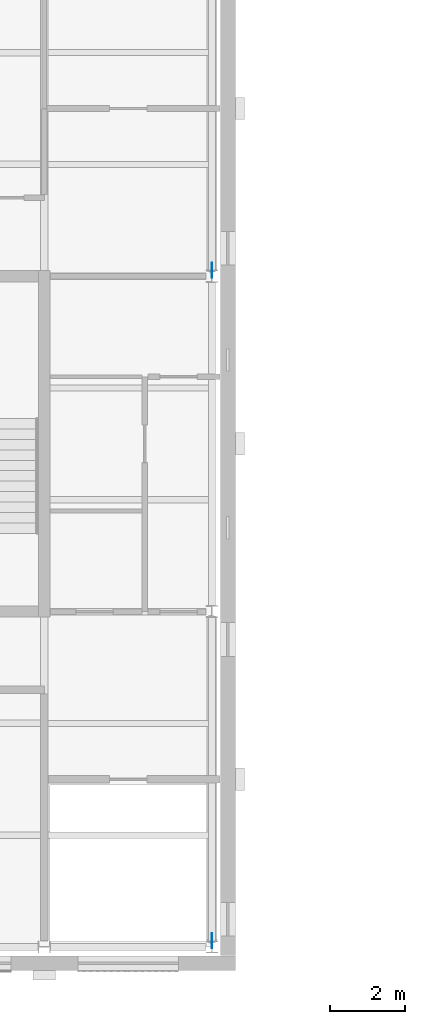
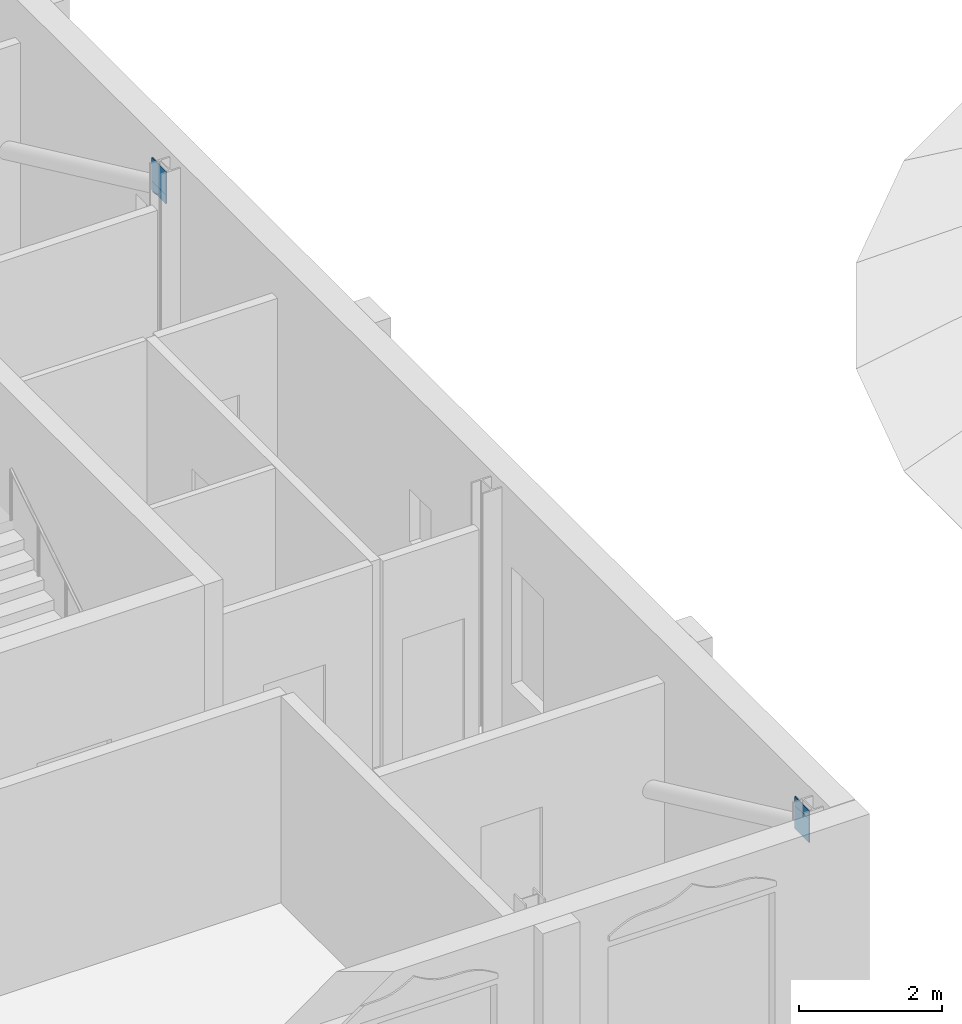
# One storey, part 9 of 11: 4 discrete accessories.
"""IFC4 building model written with IfcOpenShell, lengths in metres."""

import ifcopenshell
import ifcopenshell.guid

model = None  # the IFC model being written
_history = None  # IfcOwnerHistory: only IFC2X3 demands one
_inside = {}  # id of a spatial element -> (the spatial element, [elements in it])
_under = {}  # id of a project, library or spatial element -> (it, [spatial elements below it])
_declared = {}  # id of a project -> (the project, [libraries it declares])
_typed = {}  # id of a type object -> (the type object, [elements of that type])
_made_of = {}  # id of a material, layer set ... -> (it, [elements and type objects made of it])


def new_model(schema):
    """Start an empty IFC model of exactly this schema.

    Asked for "IFC4X3", IfcOpenShell would pick the latest addendum, in which some entities
    have other attributes; the version numbers below select the first issue.
    IFC2X3 requires an IfcOwnerHistory on every rooted entity: one is made here for all.
    """
    global model, _history
    if schema == "IFC4X3":
        model = ifcopenshell.file(schema_version=(4, 3, 0, 0))
    else:
        model = ifcopenshell.file(schema=schema)
    _inside.clear()
    _under.clear()
    _declared.clear()
    _typed.clear()
    _made_of.clear()
    _history = None
    if model.schema == "IFC2X3":
        org = make("IfcOrganization", Name="unknown")
        user = make(
            "IfcPersonAndOrganization",
            ThePerson=make("IfcPerson", FamilyName="unknown"),
            TheOrganization=org,
        )
        app = make(
            "IfcApplication",
            ApplicationDeveloper=org,
            Version="unknown",
            ApplicationFullName="unknown",
            ApplicationIdentifier="unknown",
        )
        _history = make(
            "IfcOwnerHistory",
            OwningUser=user,
            OwningApplication=app,
            ChangeAction="ADDED",
            CreationDate=0,
        )
    return model


def make(cls, **values):
    """One entity of the class cls with the attributes given. An attribute that is None is left unset."""
    return model.create_entity(
        cls, **{name: value for name, value in values.items() if value is not None}
    )


def rooted(cls, **values):
    """An entity with a GlobalId (a new one), such as an element, a storey or a relation."""
    return make(cls, GlobalId=ifcopenshell.guid.new(), OwnerHistory=_history, **values)


def si_unit(unit_type, name, prefix=None):
    """IfcSIUnit, for example si_unit("LENGTHUNIT", "METRE", prefix="MILLI")."""
    return make("IfcSIUnit", UnitType=unit_type, Prefix=prefix, Name=name)


def assignment(units):
    """IfcUnitAssignment: the units of a project."""
    return None if units is None else make("IfcUnitAssignment", Units=units)


def point(xyz):
    """IfcCartesianPoint."""
    return None if xyz is None else make("IfcCartesianPoint", Coordinates=xyz)


def direction(xyz):
    """IfcDirection."""
    return None if xyz is None else make("IfcDirection", DirectionRatios=xyz)


def frame(location, z_axis=None, x_axis=None):
    """IfcAxis2Placement3D, a coordinate frame: its origin and axes. An axis left out is left unset."""
    return make(
        "IfcAxis2Placement3D",
        Location=point(location),
        Axis=direction(z_axis),
        RefDirection=direction(x_axis),
    )


def frame_2d(location, x_axis=None):
    """IfcAxis2Placement2D, a coordinate frame in the plane: its origin and x axis."""
    return make(
        "IfcAxis2Placement2D", Location=point(location), RefDirection=direction(x_axis)
    )


def origin():
    """The frame at (0, 0, 0) with its axes left unset."""
    return frame((0.0, 0.0, 0.0))


def origin_2d():
    """The frame at (0, 0) in the plane with its x axis left unset."""
    return frame_2d((0.0, 0.0))


def place(relative_to, where):
    """IfcLocalPlacement: puts the frame where relative to a parent placement (None: the world)."""
    return make(
        "IfcLocalPlacement", PlacementRelTo=relative_to, RelativePlacement=where
    )


def context(
    kind, dimensions, precision=None, world=None, true_north=None, identifier=None
):
    """IfcGeometricRepresentationContext, for example the 3D "Model" context."""
    return make(
        "IfcGeometricRepresentationContext",
        ContextIdentifier=identifier,
        ContextType=kind,
        CoordinateSpaceDimension=dimensions,
        Precision=precision,
        WorldCoordinateSystem=world,
        TrueNorth=true_north,
    )


def subcontext(parent, identifier, kind, view, scale=None):
    """IfcGeometricRepresentationSubContext, for example "Body" below "Model"."""
    return make(
        "IfcGeometricRepresentationSubContext",
        ContextIdentifier=identifier,
        ContextType=kind,
        ParentContext=parent,
        TargetScale=scale,
        TargetView=view,
    )


def project(units=None, contexts=None):
    """IfcProject with its units and contexts."""
    return rooted(
        "IfcProject",
        Name="project",
        RepresentationContexts=contexts,
        UnitsInContext=assignment(units),
    )


def spatial(cls, under=None, at=None, **own):
    """A site, building, storey or space (cls), placed at a placement, below another one or the project."""
    s = rooted(cls, ObjectPlacement=at, **own)
    if under is not None:
        _under.setdefault(under.id(), (under, []))[1].append(s)
    return s


def profile(cls, at=None, kind="AREA", **sizes):
    """A parametric profile (cls). Its sizes go by their IFC names, for example OverallWidth=200.0."""
    return make(cls, ProfileType=kind, Position=at, **sizes)


def rectangle(**sizes):
    """IfcRectangleProfileDef."""
    return profile("IfcRectangleProfileDef", **sizes)


def extrude(swept, where, along, depth):
    """IfcExtrudedAreaSolid: the profile swept, set in the frame where, extruded along a direction by depth."""
    return make(
        "IfcExtrudedAreaSolid",
        SweptArea=swept,
        Position=where,
        ExtrudedDirection=direction(along),
        Depth=depth,
    )


def shape(context_of_items, identifier, shape_type, items):
    """IfcShapeRepresentation: the items that make up one representation, for example the "Body"."""
    return make(
        "IfcShapeRepresentation",
        ContextOfItems=context_of_items,
        RepresentationIdentifier=identifier,
        RepresentationType=shape_type,
        Items=items,
    )


def material(Name=None, Category=None):
    """IfcMaterial."""
    return make("IfcMaterial", Name=Name, Category=Category)


def made_of(thing, what):
    """Note that an element or type object is made of a material, layer set ...; save() writes the relation."""
    if what is not None:
        _made_of.setdefault(what.id(), (what, []))[1].append(thing)
    return thing


def type_object(cls, material=None, **own):
    """A type object (cls), such as IfcWallType, which elements share."""
    return made_of(rooted(cls, **own), material)


def element(
    cls,
    number,
    at=None,
    inside=None,
    cuts=None,
    type_object=None,
    material=None,
    context=None,
    identifier="Body",
    shape_type=None,
    held_by="IfcProductDefinitionShape",
    body=None,
    shapes=None,
    **own,
):
    """One element of the class cls, such as IfcWall. Its Tag is "e" and its number.

    at: its placement. inside: the storey or other place that contains it. cuts: it is an
    opening in that element (IfcRelVoidsElement). A single representation is given by context,
    identifier, shape_type and body (its items); several are given by shapes. held_by: the class
    of the entity that holds the representations. save() writes the other relations.
    """
    e = rooted(cls, Tag="e%d" % number, ObjectPlacement=at, **own)
    if body is not None:
        shapes = [shape(context, identifier, shape_type, body)]
    if shapes is not None:
        e.Representation = make(held_by, Representations=shapes)
    if inside is not None:
        _inside.setdefault(inside.id(), (inside, []))[1].append(e)
    if cuts is not None:
        rooted(
            "IfcRelVoidsElement", RelatingBuildingElement=cuts, RelatedOpeningElement=e
        )
    if type_object is not None:
        _typed.setdefault(type_object.id(), (type_object, []))[1].append(e)
    return made_of(e, material)


def aggregate(whole, parts):
    """IfcRelAggregates: a whole, such as a stair, and the parts it consists of."""
    return rooted("IfcRelAggregates", RelatingObject=whole, RelatedObjects=parts)


def save(model, path):
    """Write the relations noted so far, then the file.

    IfcRelAggregates (storeys below a building ...), IfcRelContainedInSpatialStructure (elements
    in a storey), IfcRelDefinesByType, IfcRelAssociatesMaterial and IfcRelDeclares: one each for
    every whole, place, type object, material and project.
    """
    for whole, parts in _under.values():
        aggregate(whole, parts)
    for where, things in _inside.values():
        rooted(
            "IfcRelContainedInSpatialStructure",
            RelatedElements=things,
            RelatingStructure=where,
        )
    for kind, things in _typed.values():
        rooted("IfcRelDefinesByType", RelatedObjects=things, RelatingType=kind)
    for what, things in _made_of.values():
        rooted("IfcRelAssociatesMaterial", RelatedObjects=things, RelatingMaterial=what)
    for by, libraries in _declared.values():
        rooted("IfcRelDeclares", RelatingContext=by, RelatedDefinitions=libraries)
    model.write(path)


model = new_model("IFC4")

# Units and contexts
model_context = context("Model", 3, precision=1e-05, world=origin(), true_north=direction((0.0, 1.0)))
body_context = subcontext(model_context, "Body", "Model", "MODEL_VIEW")
ifc_project = project(units=[si_unit("LENGTHUNIT", "METRE"), si_unit("AREAUNIT", "SQUARE_METRE"), si_unit("VOLUMEUNIT", "CUBIC_METRE"), si_unit("PLANEANGLEUNIT", "RADIAN"), si_unit("MASSUNIT", "GRAM", prefix="KILO")], contexts=[model_context])

# Site, building, storey
site_placement = place(None, origin())
site = spatial("IfcSite", under=ifc_project, at=site_placement, CompositionType="ELEMENT")
building_placement = place(site_placement, origin())
building = spatial("IfcBuilding", under=site, at=building_placement, Name="Hortulan Conservatory and Botanical Research Centre", CompositionType="ELEMENT")
storey_placement = place(building_placement, frame((0.0, 0.0, 27.60009765625)))
storey = spatial("IfcBuildingStorey", under=building, at=storey_placement, Name="L06", CompositionType="ELEMENT", Elevation=27.60009765625)

# Discrete accessories
ifc_material = material(Name="Steel Grade 300 plate (AS/NZS 3678, 280 MPa minimum yield)", Category="steel")
discrete_accessory_type = type_object("IfcDiscreteAccessoryType", Name="End Plate 400x16", PredefinedType="BRACKET", material=ifc_material)
for number, where, z_axis, x_axis, name in (
    (1, (31.5, 0.16357421875, 3.563720703125), (0.0, 0.0, 1.0), (0.0, -1.0, 0.0), "Brace end plate"),
    (2, (31.5, 0.16357421875, 3.71630859375), (0.0, 0.0, 1.0), (0.0, -1.0, 0.0), "Brace end plate"),
    (3, (31.5, 18.16357421875, 3.563720703125), (0.0, 0.0, 1.0), (0.0, -1.0, 0.0), "Brace end plate"),
    (4, (31.5, 18.16357421875, 3.71630859375), (0.0, 0.0, 1.0), (0.0, -1.0, 0.0), "Brace end plate"),
):
    element("IfcDiscreteAccessory", number, at=place(storey_placement, frame(where, z_axis=z_axis, x_axis=x_axis)), inside=storey, type_object=discrete_accessory_type, Name=name, PredefinedType="BRACKET", context=body_context, shape_type="SweptSolid", body=[
        extrude(rectangle(XDim=0.39990234375, YDim=0.01611328125, at=origin_2d()), origin(), (0.0, 0.0, 1.0), 0.39990234375),
    ])

save(model, "model.ifc")
